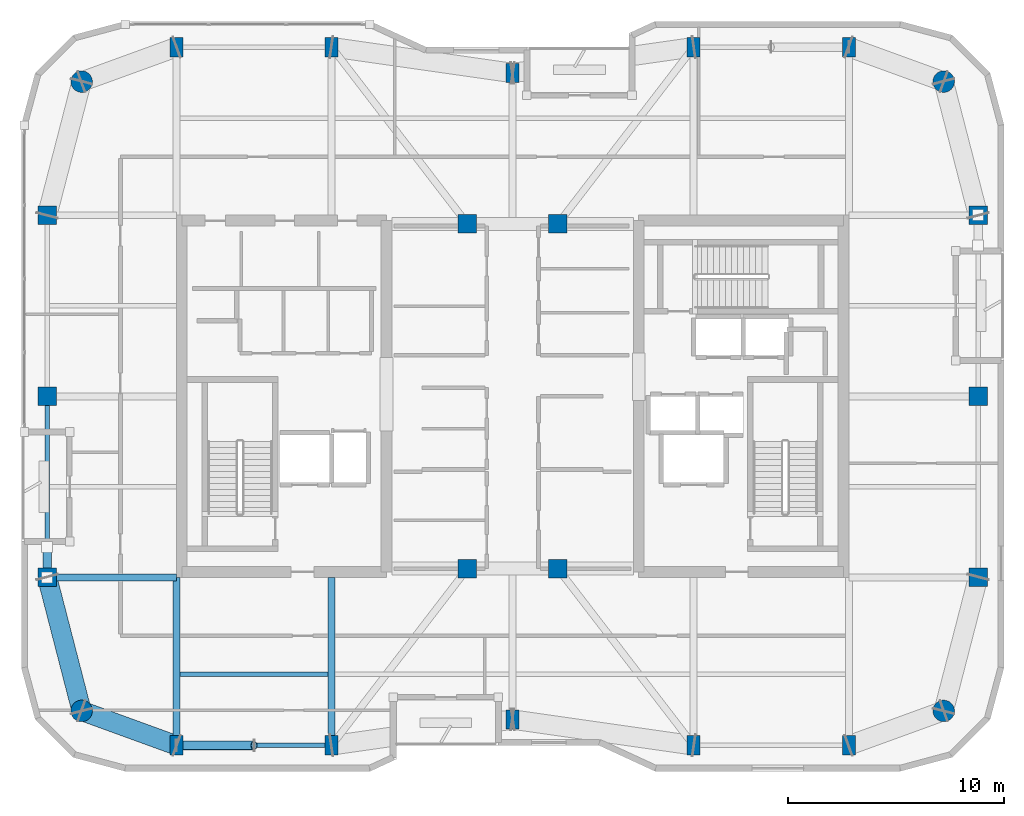
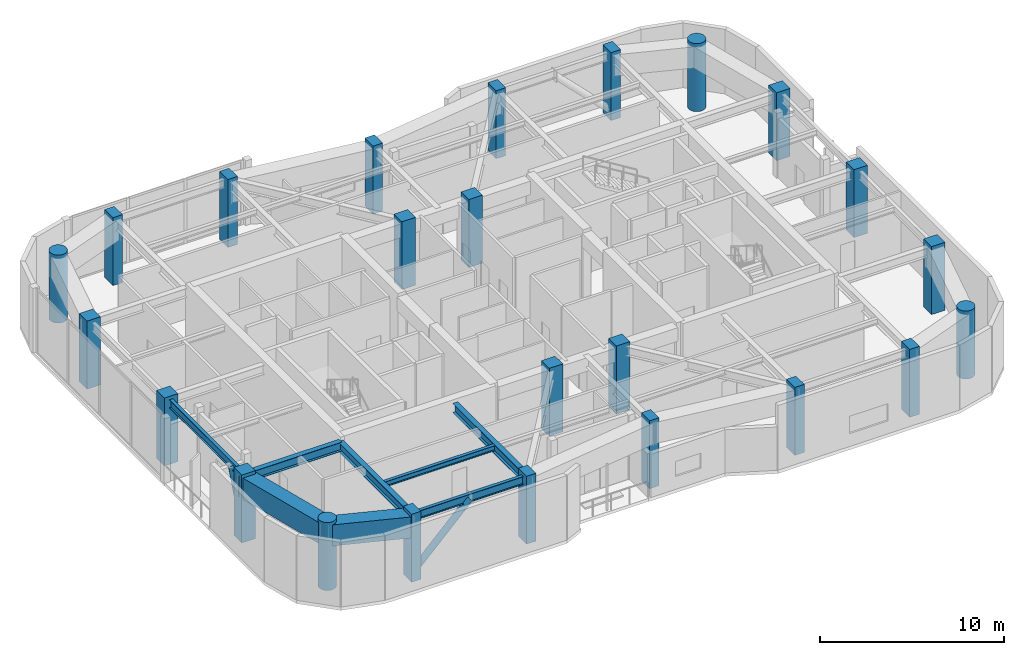
# One storey, part 1 of 15: 24 columns, 8 beams, 2 members.
"""IFC4 building model written with IfcOpenShell, lengths in metres."""

import ifcopenshell
import ifcopenshell.guid

model = None  # the IFC model being written
_history = None  # IfcOwnerHistory: only IFC2X3 demands one
_inside = {}  # id of a spatial element -> (the spatial element, [elements in it])
_under = {}  # id of a project, library or spatial element -> (it, [spatial elements below it])
_declared = {}  # id of a project -> (the project, [libraries it declares])
_typed = {}  # id of a type object -> (the type object, [elements of that type])
_made_of = {}  # id of a material, layer set ... -> (it, [elements and type objects made of it])


def new_model(schema):
    """Start an empty IFC model of exactly this schema.

    Asked for "IFC4X3", IfcOpenShell would pick the latest addendum, in which some entities
    have other attributes; the version numbers below select the first issue.
    IFC2X3 requires an IfcOwnerHistory on every rooted entity: one is made here for all.
    """
    global model, _history
    if schema == "IFC4X3":
        model = ifcopenshell.file(schema_version=(4, 3, 0, 0))
    else:
        model = ifcopenshell.file(schema=schema)
    _inside.clear()
    _under.clear()
    _declared.clear()
    _typed.clear()
    _made_of.clear()
    _history = None
    if model.schema == "IFC2X3":
        org = make("IfcOrganization", Name="unknown")
        user = make(
            "IfcPersonAndOrganization",
            ThePerson=make("IfcPerson", FamilyName="unknown"),
            TheOrganization=org,
        )
        app = make(
            "IfcApplication",
            ApplicationDeveloper=org,
            Version="unknown",
            ApplicationFullName="unknown",
            ApplicationIdentifier="unknown",
        )
        _history = make(
            "IfcOwnerHistory",
            OwningUser=user,
            OwningApplication=app,
            ChangeAction="ADDED",
            CreationDate=0,
        )
    return model


def make(cls, **values):
    """One entity of the class cls with the attributes given. An attribute that is None is left unset."""
    return model.create_entity(
        cls, **{name: value for name, value in values.items() if value is not None}
    )


def rooted(cls, **values):
    """An entity with a GlobalId (a new one), such as an element, a storey or a relation."""
    return make(cls, GlobalId=ifcopenshell.guid.new(), OwnerHistory=_history, **values)


def si_unit(unit_type, name, prefix=None):
    """IfcSIUnit, for example si_unit("LENGTHUNIT", "METRE", prefix="MILLI")."""
    return make("IfcSIUnit", UnitType=unit_type, Prefix=prefix, Name=name)


def assignment(units):
    """IfcUnitAssignment: the units of a project."""
    return None if units is None else make("IfcUnitAssignment", Units=units)


def point(xyz):
    """IfcCartesianPoint."""
    return None if xyz is None else make("IfcCartesianPoint", Coordinates=xyz)


def direction(xyz):
    """IfcDirection."""
    return None if xyz is None else make("IfcDirection", DirectionRatios=xyz)


def frame(location, z_axis=None, x_axis=None):
    """IfcAxis2Placement3D, a coordinate frame: its origin and axes. An axis left out is left unset."""
    return make(
        "IfcAxis2Placement3D",
        Location=point(location),
        Axis=direction(z_axis),
        RefDirection=direction(x_axis),
    )


def frame_2d(location, x_axis=None):
    """IfcAxis2Placement2D, a coordinate frame in the plane: its origin and x axis."""
    return make(
        "IfcAxis2Placement2D", Location=point(location), RefDirection=direction(x_axis)
    )


def origin():
    """The frame at (0, 0, 0) with its axes left unset."""
    return frame((0.0, 0.0, 0.0))


def origin_2d():
    """The frame at (0, 0) in the plane with its x axis left unset."""
    return frame_2d((0.0, 0.0))


def place(relative_to, where):
    """IfcLocalPlacement: puts the frame where relative to a parent placement (None: the world)."""
    return make(
        "IfcLocalPlacement", PlacementRelTo=relative_to, RelativePlacement=where
    )


def context(
    kind, dimensions, precision=None, world=None, true_north=None, identifier=None
):
    """IfcGeometricRepresentationContext, for example the 3D "Model" context."""
    return make(
        "IfcGeometricRepresentationContext",
        ContextIdentifier=identifier,
        ContextType=kind,
        CoordinateSpaceDimension=dimensions,
        Precision=precision,
        WorldCoordinateSystem=world,
        TrueNorth=true_north,
    )


def subcontext(parent, identifier, kind, view, scale=None):
    """IfcGeometricRepresentationSubContext, for example "Body" below "Model"."""
    return make(
        "IfcGeometricRepresentationSubContext",
        ContextIdentifier=identifier,
        ContextType=kind,
        ParentContext=parent,
        TargetScale=scale,
        TargetView=view,
    )


def project(units=None, contexts=None):
    """IfcProject with its units and contexts."""
    return rooted(
        "IfcProject",
        Name="project",
        RepresentationContexts=contexts,
        UnitsInContext=assignment(units),
    )


def spatial(cls, under=None, at=None, **own):
    """A site, building, storey or space (cls), placed at a placement, below another one or the project."""
    s = rooted(cls, ObjectPlacement=at, **own)
    if under is not None:
        _under.setdefault(under.id(), (under, []))[1].append(s)
    return s


def profile(cls, at=None, kind="AREA", **sizes):
    """A parametric profile (cls). Its sizes go by their IFC names, for example OverallWidth=200.0."""
    return make(cls, ProfileType=kind, Position=at, **sizes)


def rectangle(**sizes):
    """IfcRectangleProfileDef."""
    return profile("IfcRectangleProfileDef", **sizes)


def hollow_rectangle(**sizes):
    """IfcRectangleHollowProfileDef."""
    return profile("IfcRectangleHollowProfileDef", **sizes)


def circle(**sizes):
    """IfcCircleProfileDef."""
    return profile("IfcCircleProfileDef", **sizes)


def hollow_circle(**sizes):
    """IfcCircleHollowProfileDef."""
    return profile("IfcCircleHollowProfileDef", **sizes)


def i_section(**sizes):
    """IfcIShapeProfileDef."""
    return profile("IfcIShapeProfileDef", **sizes)


def extrude(swept, where, along, depth):
    """IfcExtrudedAreaSolid: the profile swept, set in the frame where, extruded along a direction by depth."""
    return make(
        "IfcExtrudedAreaSolid",
        SweptArea=swept,
        Position=where,
        ExtrudedDirection=direction(along),
        Depth=depth,
    )


def shape(context_of_items, identifier, shape_type, items):
    """IfcShapeRepresentation: the items that make up one representation, for example the "Body"."""
    return make(
        "IfcShapeRepresentation",
        ContextOfItems=context_of_items,
        RepresentationIdentifier=identifier,
        RepresentationType=shape_type,
        Items=items,
    )


def material(Name=None, Category=None):
    """IfcMaterial."""
    return make("IfcMaterial", Name=Name, Category=Category)


def material_profile(
    of_material, cross_section, Name=None, Category=None, Priority=None
):
    """IfcMaterialProfile: a cross section and its material."""
    return make(
        "IfcMaterialProfile",
        Name=Name,
        Material=of_material,
        Profile=cross_section,
        Priority=Priority,
        Category=Category,
    )


def profile_set(profiles, Name=None, composite=None):
    """IfcMaterialProfileSet."""
    return make(
        "IfcMaterialProfileSet",
        Name=Name,
        MaterialProfiles=profiles,
        CompositeProfile=composite,
    )


def made_of(thing, what):
    """Note that an element or type object is made of a material, layer set ...; save() writes the relation."""
    if what is not None:
        _made_of.setdefault(what.id(), (what, []))[1].append(thing)
    return thing


def type_object(cls, material=None, **own):
    """A type object (cls), such as IfcWallType, which elements share."""
    return made_of(rooted(cls, **own), material)


def element(
    cls,
    number,
    at=None,
    inside=None,
    cuts=None,
    type_object=None,
    material=None,
    context=None,
    identifier="Body",
    shape_type=None,
    held_by="IfcProductDefinitionShape",
    body=None,
    shapes=None,
    **own,
):
    """One element of the class cls, such as IfcWall. Its Tag is "e" and its number.

    at: its placement. inside: the storey or other place that contains it. cuts: it is an
    opening in that element (IfcRelVoidsElement). A single representation is given by context,
    identifier, shape_type and body (its items); several are given by shapes. held_by: the class
    of the entity that holds the representations. save() writes the other relations.
    """
    e = rooted(cls, Tag="e%d" % number, ObjectPlacement=at, **own)
    if body is not None:
        shapes = [shape(context, identifier, shape_type, body)]
    if shapes is not None:
        e.Representation = make(held_by, Representations=shapes)
    if inside is not None:
        _inside.setdefault(inside.id(), (inside, []))[1].append(e)
    if cuts is not None:
        rooted(
            "IfcRelVoidsElement", RelatingBuildingElement=cuts, RelatedOpeningElement=e
        )
    if type_object is not None:
        _typed.setdefault(type_object.id(), (type_object, []))[1].append(e)
    return made_of(e, material)


def aggregate(whole, parts):
    """IfcRelAggregates: a whole, such as a stair, and the parts it consists of."""
    return rooted("IfcRelAggregates", RelatingObject=whole, RelatedObjects=parts)


def save(model, path):
    """Write the relations noted so far, then the file.

    IfcRelAggregates (storeys below a building ...), IfcRelContainedInSpatialStructure (elements
    in a storey), IfcRelDefinesByType, IfcRelAssociatesMaterial and IfcRelDeclares: one each for
    every whole, place, type object, material and project.
    """
    for whole, parts in _under.values():
        aggregate(whole, parts)
    for where, things in _inside.values():
        rooted(
            "IfcRelContainedInSpatialStructure",
            RelatedElements=things,
            RelatingStructure=where,
        )
    for kind, things in _typed.values():
        rooted("IfcRelDefinesByType", RelatedObjects=things, RelatingType=kind)
    for what, things in _made_of.values():
        rooted("IfcRelAssociatesMaterial", RelatedObjects=things, RelatingMaterial=what)
    for by, libraries in _declared.values():
        rooted("IfcRelDeclares", RelatingContext=by, RelatedDefinitions=libraries)
    model.write(path)


model = new_model("IFC4")

# Units and contexts
model_context = context("Model", 3, precision=1e-05, world=origin(), true_north=direction((0.0, 1.0)))
body_context = subcontext(model_context, "Body", "Model", "MODEL_VIEW")
ifc_project = project(units=[si_unit("LENGTHUNIT", "METRE"), si_unit("AREAUNIT", "SQUARE_METRE"), si_unit("VOLUMEUNIT", "CUBIC_METRE"), si_unit("PLANEANGLEUNIT", "RADIAN"), si_unit("MASSUNIT", "GRAM", prefix="KILO")], contexts=[model_context])

# Site, building, storey
site_placement = place(None, origin())
site = spatial("IfcSite", under=ifc_project, at=site_placement, CompositionType="ELEMENT")
building_placement = place(site_placement, origin())
building = spatial("IfcBuilding", under=site, at=building_placement, Name="Kiyonajd Concourse Tower", CompositionType="ELEMENT")
storey_placement = place(building_placement, frame((0.0, 0.0, 342.0)))
storey = spatial("IfcBuildingStorey", under=building, at=storey_placement, Name="L86", CompositionType="ELEMENT", Elevation=342.0)

# Columns
ifc_material_1 = material(Name="Concrete C60/75", Category="concrete")
ifc_material_profile_1 = material_profile(ifc_material_1, rectangle(XDim=0.60009765625, YDim=0.89990234375, at=origin_2d()), Name="RC-900x600")
ifc_profile_set_1 = profile_set([ifc_material_profile_1], Name="Concrete C60/75")
column_type_1 = type_object("IfcColumnType", Name="CL-BLADE-900", PredefinedType="COLUMN", material=ifc_profile_set_1)
for number, where, z_axis, x_axis, name in (
    (1, (32.39990234375, 19.800048828125, 0.0), (0.0, 0.0, 1.0), (1.0, 0.0, 0.0), "L86 Perimeter Bundled Tube Column"),
    (2, (32.39990234375, 52.199951171875, 0.0), (0.0, 0.0, 1.0), (1.0, 0.0, 0.0), "L86 Perimeter Bundled Tube Column"),
    (3, (39.60009765625, 19.800048828125, 0.0), (0.0, 0.0, 1.0), (1.0, 0.0, 0.0), "L86 Perimeter Bundled Tube Column"),
    (4, (39.60009765625, 52.199951171875, 0.0), (0.0, 0.0, 1.0), (1.0, 0.0, 0.0), "L86 Perimeter Bundled Tube Column"),
    (5, (48.0, 21.0, 0.0), (0.0, 0.0, 1.0), (1.0, 0.0, 0.0), "L86 Perimeter Bundled Tube Column"),
    (6, (48.0, 51.0, 0.0), (0.0, 0.0, 1.0), (1.0, 0.0, 0.0), "L86 Perimeter Bundled Tube Column"),
    (7, (56.39990234375, 19.800048828125, 0.0), (0.0, 0.0, 1.0), (1.0, 0.0, 0.0), "L86 Perimeter Bundled Tube Column"),
    (8, (56.39990234375, 52.199951171875, 0.0), (0.0, 0.0, 1.0), (1.0, 0.0, 0.0), "L86 Perimeter Bundled Tube Column"),
    (9, (63.60009765625, 19.800048828125, 0.0), (0.0, 0.0, 1.0), (1.0, 0.0, 0.0), "L86 Perimeter Bundled Tube Column"),
    (10, (63.60009765625, 52.199951171875, 0.0), (0.0, 0.0, 1.0), (1.0, 0.0, 0.0), "L86 Perimeter Bundled Tube Column"),
):
    element("IfcColumn", number, at=place(storey_placement, frame(where, z_axis=z_axis, x_axis=x_axis)), inside=storey, type_object=column_type_1, Name=name, PredefinedType="COLUMN", context=body_context, shape_type="SweptSolid", body=[
        extrude(rectangle(XDim=0.60009765625, YDim=0.89990234375, at=origin_2d()), origin(), (0.0, 0.0, 1.0), 4.5),
    ])
ifc_material_profile_2 = material_profile(ifc_material_1, circle(Radius=0.5, at=origin_2d()), Name="RCC-D1000")
ifc_profile_set_2 = profile_set([ifc_material_profile_2], Name="Concrete C60/75")
column_type_2 = type_object("IfcColumnType", Name="CL-RND-1000", PredefinedType="COLUMN", material=ifc_profile_set_2)
for number, where, z_axis, x_axis, name in (
    (11, (28.0, 21.39990234375, 0.0), (0.0, 0.0, 1.0), (1.0, 0.0, 0.0), "L86 Bundled Tube Corner Column South West"),
    (12, (68.0, 21.39990234375, 0.0), (0.0, 0.0, 1.0), (1.0, 0.0, 0.0), "L86 Bundled Tube Corner Column South East"),
    (13, (68.0, 50.60009765625, 0.0), (0.0, 0.0, 1.0), (1.0, 0.0, 0.0), "L86 Bundled Tube Corner Column North East"),
    (14, (28.0, 50.60009765625, 0.0), (0.0, 0.0, 1.0), (1.0, 0.0, 0.0), "L86 Bundled Tube Corner Column North West"),
):
    element("IfcColumn", number, at=place(storey_placement, frame(where, z_axis=z_axis, x_axis=x_axis)), inside=storey, type_object=column_type_2, Name=name, PredefinedType="COLUMN", context=body_context, shape_type="SweptSolid", body=[
        extrude(circle(Radius=0.5, at=origin_2d()), origin(), (0.0, 0.0, 1.0), 4.5),
    ])
ifc_material_profile_3 = material_profile(ifc_material_1, rectangle(XDim=0.85009765625, YDim=0.85009765625, at=origin_2d()), Name="RC-850x850")
ifc_profile_set_3 = profile_set([ifc_material_profile_3], Name="Concrete C60/75")
column_type_3 = type_object("IfcColumnType", Name="CL-TUBE-850", PredefinedType="COLUMN", material=ifc_profile_set_3)
for number, where, z_axis, x_axis, name in (
    (15, (26.39990234375, 27.60009765625, 0.0), (0.0, 0.0, 1.0), (1.0, 0.0, 0.0), "L86 Perimeter Bundled Tube Column"),
    (16, (69.60009765625, 27.60009765625, 0.0), (0.0, 0.0, 1.0), (1.0, 0.0, 0.0), "L86 Perimeter Bundled Tube Column"),
    (17, (26.39990234375, 36.0, 0.0), (0.0, 0.0, 1.0), (1.0, 0.0, 0.0), "L86 Perimeter Bundled Tube Column"),
    (18, (69.60009765625, 36.0, 0.0), (0.0, 0.0, 1.0), (1.0, 0.0, 0.0), "L86 Perimeter Bundled Tube Column"),
    (19, (26.39990234375, 44.39990234375, 0.0), (0.0, 0.0, 1.0), (1.0, 0.0, 0.0), "L86 Perimeter Bundled Tube Column"),
    (20, (69.60009765625, 44.39990234375, 0.0), (0.0, 0.0, 1.0), (1.0, 0.0, 0.0), "L86 Perimeter Bundled Tube Column"),
    (21, (45.89990234375, 28.0, 0.0), (0.0, 0.0, 1.0), (1.0, 0.0, 0.0), "L86 Core Tie Column South West"),
    (22, (50.10009765625, 28.0, 0.0), (0.0, 0.0, 1.0), (1.0, 0.0, 0.0), "L86 Core Tie Column South East"),
    (23, (45.89990234375, 44.0, 0.0), (0.0, 0.0, 1.0), (1.0, 0.0, 0.0), "L86 Core Tie Column North West"),
    (24, (50.10009765625, 44.0, 0.0), (0.0, 0.0, 1.0), (1.0, 0.0, 0.0), "L86 Core Tie Column North East"),
):
    element("IfcColumn", number, at=place(storey_placement, frame(where, z_axis=z_axis, x_axis=x_axis)), inside=storey, type_object=column_type_3, Name=name, PredefinedType="COLUMN", context=body_context, shape_type="SweptSolid", body=[
        extrude(rectangle(XDim=0.85009765625, YDim=0.85009765625, at=origin_2d()), origin(), (0.0, 0.0, 1.0), 4.5),
    ])

# Beams
ifc_material_2 = material(Name="Steel ASTM A992 Grade 50", Category="steel")
ifc_material_profile_4 = material_profile(ifc_material_2, i_section(OverallWidth=0.205078125, OverallDepth=0.35400390625, WebThickness=0.009521484375, FlangeThickness=0.016845703125, at=origin_2d()), Name="W360X79")
ifc_profile_set_4 = profile_set([ifc_material_profile_4], Name="Steel ASTM A992 Grade 50")
beam_type_1 = type_object("IfcBeamType", Name="BM-JST-360", PredefinedType="JOIST", material=ifc_profile_set_4)
beam_1_placement = place(storey_placement, frame((32.56201171875, 23.10009765625, 4.10302734375), z_axis=(1.0, 0.0, 0.0), x_axis=(0.0, 1.0, 0.0)))
element("IfcBeam", 25, at=beam_1_placement, inside=storey, type_object=beam_type_1, Name="L86 Secondary Floor Joist", PredefinedType="JOIST", context=body_context, shape_type="SweptSolid", body=[
    extrude(i_section(OverallWidth=0.205078125, OverallDepth=0.35400390625, WebThickness=0.009521484375, FlangeThickness=0.016845703125, at=origin_2d()), origin(), (0.0, 0.0, 1.0), 6.8759765625),
])
ifc_material_profile_5 = material_profile(ifc_material_2, i_section(OverallWidth=0.2109375, OverallDepth=0.5390625, WebThickness=0.01171875, FlangeThickness=0.018798828125, at=origin_2d()), Name="W530X109")
ifc_profile_set_5 = profile_set([ifc_material_profile_5], Name="Steel ASTM A992 Grade 50")
beam_type_2 = type_object("IfcBeamType", Name="BM-SPAN-530B", PredefinedType="SPANDREL", material=ifc_profile_set_5)
beam_2_placement = place(storey_placement, frame((32.39990234375, 19.800048828125, 4.010498046875), z_axis=(1.0, 0.0, 0.0), x_axis=(0.0, 1.0, 0.0)))
element("IfcBeam", 26, at=beam_2_placement, inside=storey, type_object=beam_type_2, Name="L86 Perimeter Bundled Tube Spandrel", PredefinedType="SPANDREL", context=body_context, shape_type="SweptSolid", body=[
    extrude(i_section(OverallWidth=0.2109375, OverallDepth=0.5390625, WebThickness=0.01171875, FlangeThickness=0.018798828125, at=origin_2d()), origin(), (0.0, 0.0, 1.0), 7.2001953125),
])
beam_3_placement = place(storey_placement, frame((26.39990234375, 36.0, 4.010498046875), z_axis=(0.0, -1.0, 0.0), x_axis=(1.0, 0.0, 0.0)))
element("IfcBeam", 27, at=beam_3_placement, inside=storey, type_object=beam_type_2, Name="L86 Perimeter Bundled Tube Spandrel", PredefinedType="SPANDREL", context=body_context, shape_type="SweptSolid", body=[
    extrude(i_section(OverallWidth=0.2109375, OverallDepth=0.5390625, WebThickness=0.01171875, FlangeThickness=0.018798828125, at=origin_2d()), origin(), (0.0, 0.0, 1.0), 8.39990234375),
])
ifc_material_profile_6 = material_profile(ifc_material_2, i_section(OverallWidth=0.323974609375, OverallDepth=0.611083984375, WebThickness=0.0126953125, FlangeThickness=0.01904296875, at=origin_2d()), Name="W610X155")
ifc_profile_set_6 = profile_set([ifc_material_profile_6], Name="Steel ASTM A992 Grade 50")
beam_type_3 = type_object("IfcBeamType", Name="BM-TWR-610B", PredefinedType="BEAM", material=ifc_profile_set_6)
for number, where, z_axis, x_axis, name in (
    (28, (32.39990234375, 19.800048828125, 3.974609375), (0.0, 1.0, 0.0), (-1.0, 0.0, 0.0), "L86 South Lease Girder"),
    (29, (39.60009765625, 19.800048828125, 3.974609375), (0.0, 1.0, 0.0), (-1.0, 0.0, 0.0), "L86 South Lease Girder"),
):
    element("IfcBeam", number, at=place(storey_placement, frame(where, z_axis=z_axis, x_axis=x_axis)), inside=storey, type_object=beam_type_3, Name=name, PredefinedType="BEAM", context=body_context, shape_type="SweptSolid", body=[
        extrude(i_section(OverallWidth=0.323974609375, OverallDepth=0.611083984375, WebThickness=0.0126953125, FlangeThickness=0.01904296875, at=origin_2d()), origin(), (0.0, 0.0, 1.0), 7.800048828125),
    ])
beam_4_placement = place(storey_placement, frame((26.39990234375, 27.60009765625, 3.974609375), z_axis=(1.0, 0.0, 0.0), x_axis=(0.0, 1.0, 0.0)))
element("IfcBeam", 30, at=beam_4_placement, inside=storey, type_object=beam_type_3, Name="L86 West Lease Girder", PredefinedType="BEAM", context=body_context, shape_type="SweptSolid", body=[
    extrude(i_section(OverallWidth=0.323974609375, OverallDepth=0.611083984375, WebThickness=0.0126953125, FlangeThickness=0.01904296875, at=origin_2d()), origin(), (0.0, 0.0, 1.0), 6.0),
])
ifc_material_3 = material(Name="Steel ASTM A572 Grade 50", Category="steel")
ifc_material_profile_7 = material_profile(ifc_material_3, hollow_rectangle(XDim=0.89990234375, YDim=1.39990234375, WallThickness=0.070068359375, at=origin_2d()), Name="BOX-1400x900x70")
ifc_profile_set_7 = profile_set([ifc_material_profile_7], Name="Steel ASTM A572 Grade 50")
beam_type_4 = type_object("IfcBeamType", Name="BM-XFER-1400", PredefinedType="BEAM", material=ifc_profile_set_7)
beam_5_placement = place(storey_placement, frame((26.39990234375, 27.60009765625, 3.580078125), z_axis=(0.249884937687, -0.968275538221, 0.0), x_axis=(0.968275538221, 0.249884937687, 0.0)))
element("IfcBeam", 31, at=beam_5_placement, inside=storey, type_object=beam_type_4, Name="L86 Perimeter Bundled Tube Spandrel", PredefinedType="BEAM", context=body_context, shape_type="SweptSolid", body=[
    extrude(hollow_rectangle(XDim=0.89990234375, YDim=1.39990234375, WallThickness=0.070068359375, at=origin_2d()), origin(), (0.0, 0.0, 1.0), 6.4033203125),
])
beam_6_placement = place(storey_placement, frame((28.0, 21.39990234375, 3.580078125), z_axis=(0.939801036019, -0.341722127901, 0.0), x_axis=(0.341722127901, 0.939801036019, 0.0)))
element("IfcBeam", 32, at=beam_6_placement, inside=storey, type_object=beam_type_4, Name="L86 Perimeter Bundled Tube Spandrel", PredefinedType="BEAM", context=body_context, shape_type="SweptSolid", body=[
    extrude(hollow_rectangle(XDim=0.89990234375, YDim=1.39990234375, WallThickness=0.070068359375, at=origin_2d()), origin(), (0.0, 0.0, 1.0), 4.681640625),
])

# Members
ifc_material_4 = material(Name="Steel ASTM A500 Grade C", Category="steel")
ifc_material_profile_8 = material_profile(ifc_material_4, hollow_circle(Radius=0.202880859375, WallThickness=0.01904296875, at=origin_2d()), Name="CHS-406x19")
ifc_profile_set_8 = profile_set([ifc_material_profile_8], Name="Steel ASTM A500 Grade C")
member_type = type_object("IfcMemberType", Name="MB-PB-HIGH", PredefinedType="BRACE", material=ifc_profile_set_8)
member_1_placement = place(storey_placement, frame((32.39990234375, 19.800048828125, 0.300048828125), z_axis=(0.704187756773, 0.0, 0.710013804944), x_axis=(0.0, 1.0, 0.0)))
element("IfcMember", 33, at=member_1_placement, inside=storey, type_object=member_type, Name="L86 Upper Zone Hollow Tube Brace PBS", PredefinedType="BRACE", context=body_context, shape_type="SweptSolid", body=[
    extrude(hollow_circle(Radius=0.202880859375, WallThickness=0.01904296875, at=origin_2d()), origin(), (0.0, 0.0, 1.0), 5.1123046875),
])
member_2_placement = place(storey_placement, frame((26.39990234375, 27.60009765625, 0.300048828125), z_axis=(0.0, 0.359828366716, 0.933018513486), x_axis=(-1.0, 0.0, 0.0)))
element("IfcMember", 34, at=member_2_placement, inside=storey, type_object=member_type, Name="L86 Upper Zone Hollow Tube Brace PBW", PredefinedType="BRACE", context=body_context, shape_type="SweptSolid", body=[
    extrude(hollow_circle(Radius=0.202880859375, WallThickness=0.01904296875, at=origin_2d()), origin(), (0.0, 0.0, 1.0), 3.890380859375),
])

save(model, "model.ifc")
